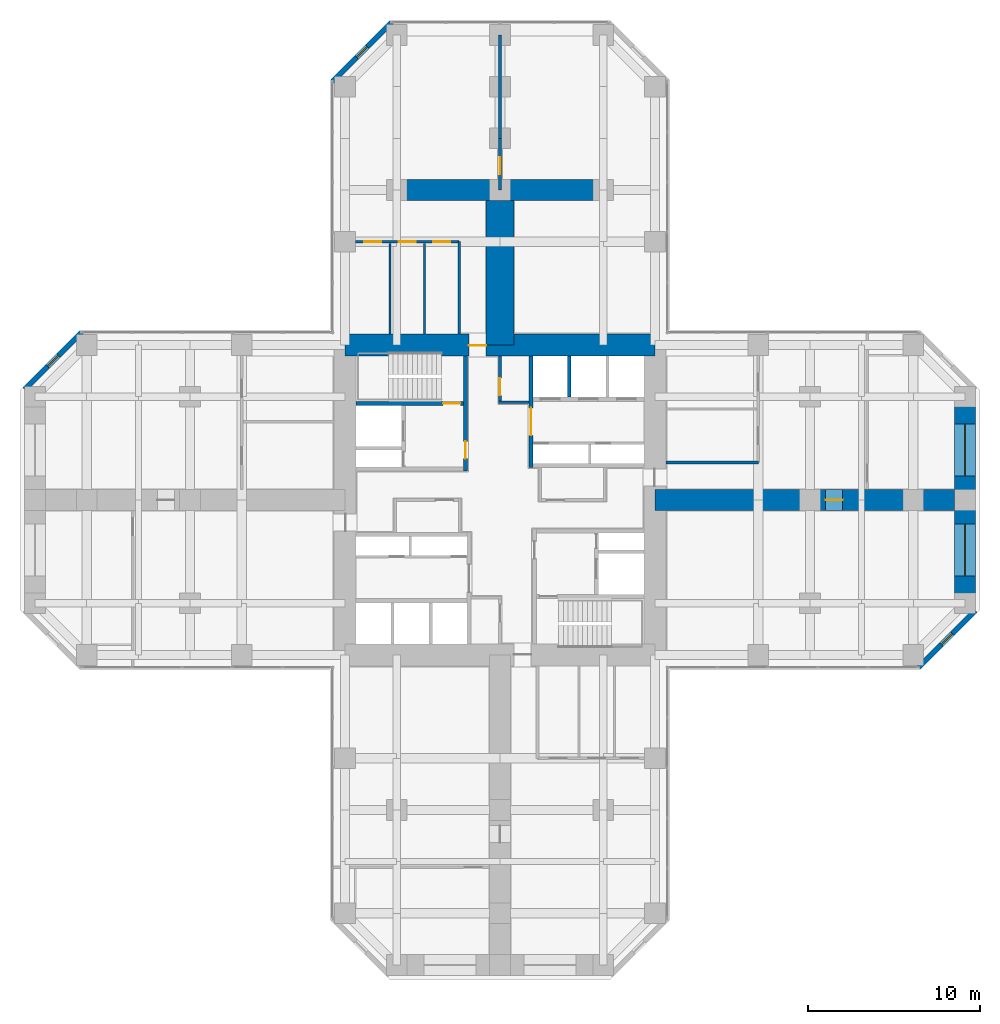
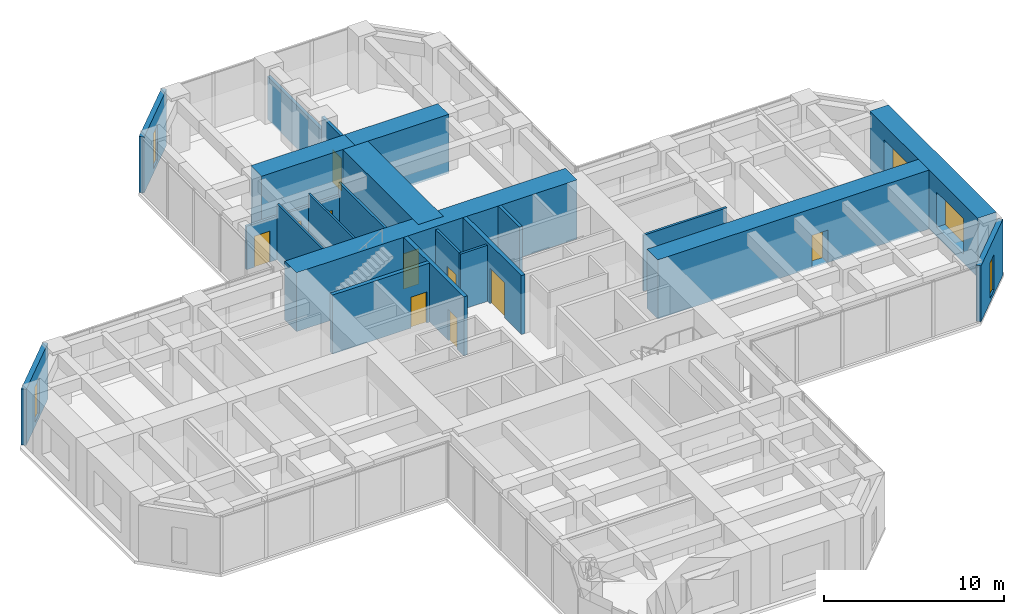
# One storey, part 10 of 12: 22 walls, 10 doors, 5 windows, 15 openings.
"""IFC4 building model written with IfcOpenShell, lengths in metres."""

from ifc_helpers import new_model, si_unit, direction, frame, frame_2d, origin, place, context, subcontext, project, spatial, rectangle, hollow_rectangle, extrude, material, layer, layer_set, constituent, constituent_set, type_object, element, fill, save


model = new_model("IFC4")

# Units and contexts
model_context = context("Model", 3, precision=1e-05, world=origin(), true_north=direction((0.0, 1.0)))
body_context = subcontext(model_context, "Body", "Model", "MODEL_VIEW")
ifc_project = project(units=[si_unit("LENGTHUNIT", "METRE"), si_unit("AREAUNIT", "SQUARE_METRE"), si_unit("VOLUMEUNIT", "CUBIC_METRE"), si_unit("PLANEANGLEUNIT", "RADIAN"), si_unit("MASSUNIT", "GRAM", prefix="KILO")], contexts=[model_context])

# Site, building, storey
site_placement = place(None, origin())
site = spatial("IfcSite", under=ifc_project, at=site_placement, CompositionType="ELEMENT")
building_placement = place(site_placement, origin())
building = spatial("IfcBuilding", under=site, at=building_placement, Name="Torre Cruceta", CompositionType="ELEMENT")
storey_placement = place(building_placement, frame((0.0, 0.0, 63.5)))
storey = spatial("IfcBuildingStorey", under=building, at=storey_placement, Name="L15", CompositionType="ELEMENT", Elevation=63.5)

# Wall, opening, door
ifc_material_1 = material(Name="Concrete G60 (fck 60 MPa)", Category="concrete")
ifc_layer_1 = layer(ifc_material_1, 0.25)
ifc_layer_set_1 = layer_set([ifc_layer_1], Name="Concrete G60 (fck 60 MPa)")
wall_type_1 = type_object("IfcWallType", Name="CORE INNER WALL 250 G60", PredefinedType="SHEAR", material=ifc_layer_set_1)
wall_1_placement = place(storey_placement, frame((1.800048828125, 1.875, 0.0), z_axis=(0.0, 0.0, 1.0), x_axis=(0.0, 1.0, 0.0)))
wall_1 = element("IfcWall", 1, at=wall_1_placement, inside=storey, type_object=wall_type_1, Name="CW4 L15 NE-CU", PredefinedType="SHEAR", context=body_context, shape_type="SweptSolid", body=[
    extrude(rectangle(XDim=6.47509765625, YDim=0.25, at=frame_2d((3.237548828125, 0.0))), origin(), (0.0, 0.0, 1.0), 4.0),
])
opening_1_placement = place(wall_1_placement, frame((1.875, 0.0, 0.0)))
opening_1 = element("IfcOpeningElement", 2, at=opening_1_placement, cuts=wall_1, Name="Opening D8", PredefinedType="OPENING", context=body_context, shape_type="SweptSolid", body=[
    extrude(rectangle(XDim=1.60009765625, YDim=2.39990234375, at=frame_2d((0.800048828125, 1.199951171875))), frame((0.0, 0.135009765625, 0.0), z_axis=(0.0, -1.0, 0.0), x_axis=(1.0, 0.0, 0.0)), (0.0, 0.0, 1.0), 0.27001953125),
])
ifc_material_2 = material(Name="Steel DX51D", Category="steel")
ifc_constituent_1 = constituent(ifc_material_2, Name="Leaf and frame")
ifc_material_3 = material(Name="Polyester powder coating", Category="paint")
ifc_constituent_2 = constituent(ifc_material_3, Name="Finish")
ifc_material_4 = material(Name="Fire-resisting glass", Category="glass")
ifc_constituent_3 = constituent(ifc_material_4, Name="Vision panel")
ifc_constituent_set_1 = constituent_set(constituents=[ifc_constituent_1, ifc_constituent_2, ifc_constituent_3], Name="Steel fire door with vision panels")
door_type_1 = type_object("IfcDoorType", Name="LIFT LOBBY DOUBLE DOOR 1600X2400", OperationType="DOUBLE_DOOR_DOUBLE_SWING", PredefinedType="DOOR", material=ifc_constituent_set_1)
door_1_placement = place(opening_1_placement, origin())
door_1 = element("IfcDoor", 3, at=door_1_placement, inside=storey, type_object=door_type_1, Name="D8 L15 NE-LOBBY", OperationType="DOUBLE_DOOR_DOUBLE_SWING", OverallHeight=2.39990234375, OverallWidth=1.60009765625, PredefinedType="DOOR", context=body_context, shape_type="SweptSolid", body=[
    extrude(rectangle(XDim=1.60009765625, YDim=2.39990234375, at=frame_2d((0.800048828125, 1.199951171875))), frame((0.0, 0.02490234375, 0.0), z_axis=(0.0, -1.0, 0.0), x_axis=(1.0, 0.0, 0.0)), (0.0, 0.0, 1.0), 0.050048828125),
])
fill(opening_1, door_1)

wall_2_placement = place(storey_placement, frame((-2.0, 1.675048828125, 0.0), z_axis=(0.0, 0.0, 1.0), x_axis=(0.0, 1.0, 0.0)))
wall_2 = element("IfcWall", 4, at=wall_2_placement, inside=storey, type_object=wall_type_1, Name="CW4 L15 NW-CU", PredefinedType="SHEAR", context=body_context, shape_type="SweptSolid", body=[
    extrude(rectangle(XDim=6.675048828125, YDim=0.25, at=frame_2d((3.33740234375, 0.0))), origin(), (0.0, 0.0, 1.0), 4.0),
])
opening_2_placement = place(wall_2_placement, frame((0.72509765625, 0.0, 0.0)))
opening_2 = element("IfcOpeningElement", 5, at=opening_2_placement, cuts=wall_2, Name="Opening D3", PredefinedType="OPENING", context=body_context, shape_type="SweptSolid", body=[
    extrude(rectangle(XDim=1.0, YDim=2.10009765625, at=frame_2d((0.5, 1.050048828125))), frame((0.0, 0.135009765625, 0.0), z_axis=(0.0, -1.0, 0.0), x_axis=(1.0, 0.0, 0.0)), (0.0, 0.0, 1.0), 0.27001953125),
])
ifc_material_5 = material(Name="Steel DX51D", Category="steel")
ifc_constituent_4 = constituent(ifc_material_5, Name="Leaf and frame")
ifc_material_6 = material(Name="Polyester powder coating", Category="paint")
ifc_constituent_5 = constituent(ifc_material_6, Name="Finish")
ifc_constituent_set_2 = constituent_set(constituents=[ifc_constituent_4, ifc_constituent_5], Name="Steel fire door")
door_type_2 = type_object("IfcDoorType", Name="FIRE DOOR 1000X2100", OperationType="SINGLE_SWING_LEFT", PredefinedType="DOOR", material=ifc_constituent_set_2)
door_2_placement = place(opening_2_placement, origin())
door_2 = element("IfcDoor", 6, at=door_2_placement, inside=storey, type_object=door_type_2, Name="D3 L15 NW-LOBBY", OperationType="SINGLE_SWING_LEFT", OverallHeight=2.10009765625, OverallWidth=1.0, PredefinedType="DOOR", context=body_context, shape_type="SweptSolid", body=[
    extrude(rectangle(XDim=1.0, YDim=2.10009765625, at=frame_2d((0.5, 1.050048828125))), frame((0.0, 0.02490234375, 0.0), z_axis=(0.0, -1.0, 0.0), x_axis=(1.0, 0.0, 0.0)), (0.0, 0.0, 1.0), 0.050048828125),
])
fill(opening_2, door_2)

wall_3_placement = place(storey_placement, frame((-2.125, 5.60009765625, 0.0), z_axis=(0.0, 0.0, 1.0), x_axis=(-1.0, 0.0, 0.0)))
wall_3 = element("IfcWall", 7, at=wall_3_placement, inside=storey, type_object=wall_type_1, Name="CW4 L15 NW-SV", PredefinedType="SHEAR", context=body_context, shape_type="SweptSolid", body=[
    extrude(rectangle(XDim=6.22509765625, YDim=0.25, at=frame_2d((3.112548828125, 0.0))), origin(), (0.0, 0.0, 1.0), 4.0),
])
opening_3_placement = place(wall_3_placement, frame((0.175048828125, 0.0, 0.0)))
opening_3 = element("IfcOpeningElement", 8, at=opening_3_placement, cuts=wall_3, Name="Opening D3", PredefinedType="OPENING", context=body_context, shape_type="SweptSolid", body=[
    extrude(rectangle(XDim=1.0, YDim=2.10009765625, at=frame_2d((0.5, 1.050048828125))), frame((0.0, 0.135009765625, 0.0), z_axis=(0.0, -1.0, 0.0), x_axis=(1.0, 0.0, 0.0)), (0.0, 0.0, 1.0), 0.27001953125),
])
door_3_placement = place(opening_3_placement, frame((1.0, 0.0, 0.0), z_axis=(0.0, 0.0, 1.0), x_axis=(-1.0, 0.0, 0.0)))
door_3 = element("IfcDoor", 9, at=door_3_placement, inside=storey, type_object=door_type_2, Name="D3 L15 NW-STAIR", OperationType="SINGLE_SWING_RIGHT", OverallHeight=2.10009765625, OverallWidth=1.0, PredefinedType="DOOR", context=body_context, shape_type="SweptSolid", body=[
    extrude(rectangle(XDim=1.0, YDim=2.10009765625, at=frame_2d((0.5, 1.050048828125))), frame((0.0, 0.025146484375, 0.0), z_axis=(0.0, -1.0, 0.0), x_axis=(1.0, 0.0, 0.0)), (0.0, 0.0, 1.0), 0.050048828125),
])
fill(opening_3, door_3)

ifc_material_7 = material(Name="Concrete G60 (fck 60 MPa)", Category="concrete")
ifc_layer_2 = layer(ifc_material_7, 1.300048828125)
ifc_layer_set_2 = layer_set([ifc_layer_2], Name="Concrete G60 (fck 60 MPa)")
wall_type_2 = type_object("IfcWallType", Name="CORE WALL 1300 G60", PredefinedType="SHEAR", material=ifc_layer_set_2)
wall_4_placement = place(storey_placement, frame((9.0, 9.0, 0.0), z_axis=(0.0, 0.0, 1.0), x_axis=(-1.0, 0.0, 0.0)))
wall_4 = element("IfcWall", 10, at=wall_4_placement, inside=storey, type_object=wall_type_2, Name="CW1 L15 CW-N", PredefinedType="SHEAR", context=body_context, shape_type="SweptSolid", body=[
    extrude(rectangle(XDim=18.0, YDim=1.300048828125, at=frame_2d((9.0, 0.0))), origin(), (0.0, 0.0, 1.0), 4.0),
])
opening_4_placement = place(wall_4_placement, frame((9.800048828125, 0.0, 0.0)))
opening_4 = element("IfcOpeningElement", 11, at=opening_4_placement, cuts=wall_4, Name="Opening D4", PredefinedType="OPENING", context=body_context, shape_type="SweptSolid", body=[
    extrude(rectangle(XDim=1.0, YDim=2.39990234375, at=frame_2d((0.5, 1.199951171875))), frame((0.0, 0.659912109375, 0.0), z_axis=(0.0, -1.0, 0.0), x_axis=(1.0, 0.0, 0.0)), (0.0, 0.0, 1.0), 1.320068359375),
])
ifc_material_8 = material(Name="Steel DX51D", Category="steel")
ifc_constituent_6 = constituent(ifc_material_8, Name="Leaf and frame")
ifc_material_9 = material(Name="Polyester powder coating", Category="paint")
ifc_constituent_7 = constituent(ifc_material_9, Name="Finish")
ifc_constituent_set_3 = constituent_set(constituents=[ifc_constituent_6, ifc_constituent_7], Name="Steel fire door")
door_type_3 = type_object("IfcDoorType", Name="CORE ARM DOOR 1000X2400", OperationType="SINGLE_SWING_RIGHT", PredefinedType="DOOR", material=ifc_constituent_set_3)
door_4_placement = place(opening_4_placement, frame((1.0, 0.0, 0.0), z_axis=(0.0, 0.0, 1.0), x_axis=(-1.0, 0.0, 0.0)))
door_4 = element("IfcDoor", 12, at=door_4_placement, inside=storey, type_object=door_type_3, Name="D4 L15 CW-N", OperationType="SINGLE_SWING_RIGHT", OverallHeight=2.39990234375, OverallWidth=1.0, PredefinedType="DOOR", context=body_context, shape_type="SweptSolid", body=[
    extrude(rectangle(XDim=1.0, YDim=2.39990234375, at=frame_2d((0.5, 1.199951171875))), frame((0.0, -0.005126953125, 0.0), z_axis=(0.0, -1.0, 0.0), x_axis=(1.0, 0.0, 0.0)), (0.0, 0.0, 1.0), 0.050048828125),
])
fill(opening_4, door_4)

ifc_material_10 = material(Name="Concrete G25 (fck 25 MPa)", Category="concrete")
ifc_layer_3 = layer(ifc_material_10, 0.199951171875)
ifc_layer_set_3 = layer_set([ifc_layer_3], Name="Concrete G25 (fck 25 MPa)")
wall_type_3 = type_object("IfcWallType", Name="CORRIDOR WALL 200", PredefinedType="SOLIDWALL", material=ifc_layer_set_3)
wall_5_placement = place(storey_placement, frame((0.0, 18.0, 0.0), z_axis=(0.0, 0.0, 1.0), x_axis=(0.0, 1.0, 0.0)))
wall_5 = element("IfcWall", 13, at=wall_5_placement, inside=storey, type_object=wall_type_3, Name="PT3 spine line L15 N", PredefinedType="SOLIDWALL", context=body_context, shape_type="SweptSolid", body=[
    extrude(rectangle(XDim=3.0, YDim=0.199951171875, at=frame_2d((1.5, 0.0))), origin(), (0.0, 0.0, 1.0), 3.800048828125),
])
opening_5_placement = place(wall_5_placement, frame((0.89990234375, 0.0, 0.0)))
opening_5 = element("IfcOpeningElement", 14, at=opening_5_placement, cuts=wall_5, Name="Opening D14", PredefinedType="OPENING", context=body_context, shape_type="SweptSolid", body=[
    extrude(rectangle(XDim=1.0, YDim=2.199951171875, at=frame_2d((0.5, 1.10009765625))), frame((0.0, 0.10986328125, 0.0), z_axis=(0.0, -1.0, 0.0), x_axis=(1.0, 0.0, 0.0)), (0.0, 0.0, 1.0), 0.219970703125),
])
ifc_material_11 = material(Name="Steel DX51D", Category="steel")
ifc_constituent_8 = constituent(ifc_material_11, Name="Leaf and frame")
ifc_material_12 = material(Name="Polyester powder coating", Category="paint")
ifc_constituent_9 = constituent(ifc_material_12, Name="Finish")
ifc_material_13 = material(Name="Fire-resisting glass", Category="glass")
ifc_constituent_10 = constituent(ifc_material_13, Name="Vision panel")
ifc_constituent_set_4 = constituent_set(constituents=[ifc_constituent_8, ifc_constituent_9, ifc_constituent_10], Name="Steel fire door with vision panel")
door_type_4 = type_object("IfcDoorType", Name="FIRE DOOR VISION PANEL 1000X2200", OperationType="SINGLE_SWING_RIGHT", PredefinedType="DOOR", material=ifc_constituent_set_4)
door_5_placement = place(opening_5_placement, origin())
door_5 = element("IfcDoor", 15, at=door_5_placement, inside=storey, type_object=door_type_4, Name="D14 L15-N-SP1", OperationType="SINGLE_SWING_LEFT", OverallHeight=2.199951171875, OverallWidth=1.0, PredefinedType="DOOR", context=body_context, shape_type="SweptSolid", body=[
    extrude(rectangle(XDim=1.0, YDim=2.199951171875, at=frame_2d((0.5, 1.10009765625))), frame((0.0, 0.02490234375, 0.0), z_axis=(0.0, -1.0, 0.0), x_axis=(1.0, 0.0, 0.0)), (0.0, 0.0, 1.0), 0.050048828125),
])
fill(opening_5, door_5)

# Walls
wall_6_placement = place(storey_placement, frame((0.0, 21.0, 0.0), z_axis=(0.0, 0.0, 1.0), x_axis=(0.0, 1.0, 0.0)))
element("IfcWall", 16, at=wall_6_placement, inside=storey, type_object=wall_type_3, Name="PT3 spine line L15 N 2", PredefinedType="SOLIDWALL", context=body_context, shape_type="SweptSolid", body=[
    extrude(rectangle(XDim=6.0, YDim=0.199951171875, at=frame_2d((3.0, 0.0))), origin(), (0.0, 0.0, 1.0), 2.89990234375),
])
ifc_material_14 = material(Name="Concrete G60 (fck 60 MPa)", Category="concrete")
ifc_layer_4 = layer(ifc_material_14, 1.199951171875)
ifc_layer_set_4 = layer_set([ifc_layer_4], Name="Concrete G60 (fck 60 MPa)")
wall_type_4 = type_object("IfcWallType", Name="CROSS WALL 1200 G60", PredefinedType="SHEAR", material=ifc_layer_set_4)
for number, where, z_axis, x_axis, name in (
    (17, (0.0, 18.0, 0.0), (0.0, 0.0, 1.0), (-1.0, 0.0, 0.0), "XW1 cross wall L15 N L"),
    (18, (0.0, 18.0, 0.0), (0.0, 0.0, 1.0), (1.0, 0.0, 0.0), "XW1 cross wall L15 N R"),
):
    element("IfcWall", number, at=place(storey_placement, frame(where, z_axis=z_axis, x_axis=x_axis)), inside=storey, type_object=wall_type_4, Name=name, PredefinedType="SHEAR", context=body_context, shape_type="SweptSolid", body=[
        extrude(rectangle(XDim=6.0, YDim=1.199951171875, at=frame_2d((3.0, 0.0))), origin(), (0.0, 0.0, 1.0), 4.0),
    ])

# Wall, opening, window
ifc_material_15 = material(Name="Concrete G30 (fck 30 MPa)", Category="concrete")
ifc_layer_5 = layer(ifc_material_15, 0.300048828125)
ifc_layer_set_5 = layer_set([ifc_layer_5], Name="Concrete G30 (fck 30 MPa)")
wall_type_5 = type_object("IfcWallType", Name="EXPOSED CONCRETE FACADE WALL 300", PredefinedType="SOLIDWALL", material=ifc_layer_set_5)
wall_7_placement = place(storey_placement, frame((24.29833984375, -9.719970703125, 0.0), z_axis=(0.0, 0.0, 1.0), x_axis=(0.707106781187, 0.707106781187, 0.0)))
wall_7 = element("IfcWall", 19, at=wall_7_placement, inside=storey, type_object=wall_type_5, Name="EW1 facade wall L15 E chamfer 01", PredefinedType="SOLIDWALL", context=body_context, shape_type="SweptSolid", body=[
    extrude(rectangle(XDim=4.66943359375, YDim=0.300048828125, at=frame_2d((2.334716796875, 0.0))), origin(), (0.0, 0.0, 1.0), 3.800048828125),
])
opening_6_placement = place(wall_7_placement, frame((1.884765625, 0.0, 0.300048828125)))
opening_6 = element("IfcOpeningElement", 20, at=opening_6_placement, cuts=wall_7, Name="Opening WN5", PredefinedType="OPENING", context=body_context, shape_type="SweptSolid", body=[
    extrude(rectangle(XDim=0.89990234375, YDim=2.39990234375, at=frame_2d((0.449951171875, 1.199951171875))), frame((0.0, 0.159912109375, 0.0), z_axis=(0.0, -1.0, 0.0), x_axis=(1.0, 0.0, 0.0)), (0.0, 0.0, 1.0), 0.320068359375),
])
ifc_material_16 = material(Name="Aluminium window frame", Category="aluminium")
ifc_constituent_11 = constituent(ifc_material_16, Name="Frame")
ifc_material_17 = material(Name="Laminated insulating glass unit, low-iron clear", Category="glass")
ifc_constituent_12 = constituent(ifc_material_17, Name="Glazing")
ifc_constituent_set_5 = constituent_set(constituents=[ifc_constituent_11, ifc_constituent_12], Name="Aluminium window")
window_type_1 = type_object("IfcWindowType", Name="CHAMFER SLOT WINDOW 900X2400", PartitioningType="SINGLE_PANEL", PredefinedType="WINDOW", material=ifc_constituent_set_5)
window_1_placement = place(opening_6_placement, origin())
window_1 = element("IfcWindow", 21, at=window_1_placement, inside=storey, type_object=window_type_1, Name="WN5 L15 E 1", OverallHeight=2.39990234375, OverallWidth=0.89990234375, PartitioningType="SINGLE_PANEL", PredefinedType="WINDOW", context=body_context, shape_type="SweptSolid", body=[
    extrude(hollow_rectangle(XDim=0.89990234375, YDim=2.39990234375, WallThickness=0.06005859375, at=frame_2d((0.449951171875, 1.199951171875))), frame((0.0, 0.030029296875, 0.0), z_axis=(0.0, -1.0, 0.0), x_axis=(1.0, 0.0, 0.0)), (0.0, 0.0, 1.0), 0.06005859375),
    extrude(rectangle(XDim=0.77880859375, YDim=2.27880859375, at=frame_2d((0.449951171875, 1.199951171875))), frame((0.0, 0.030029296875, 0.0), z_axis=(0.0, -1.0, 0.0), x_axis=(1.0, 0.0, 0.0)), (0.0, 0.0, 1.0), 0.06005859375),
])
fill(opening_6, window_1)

wall_8_placement = place(storey_placement, frame((-6.29833984375, 27.719970703125, 0.0), z_axis=(0.0, 0.0, 1.0), x_axis=(-0.707106781187, -0.707106781187, 0.0)))
wall_8 = element("IfcWall", 22, at=wall_8_placement, inside=storey, type_object=wall_type_5, Name="EW1 facade wall L15 N chamfer 08", PredefinedType="SOLIDWALL", context=body_context, shape_type="SweptSolid", body=[
    extrude(rectangle(XDim=4.8388671875, YDim=0.300048828125, at=frame_2d((2.41943359375, 0.0))), origin(), (0.0, 0.0, 1.0), 3.800048828125),
])
opening_7_placement = place(wall_8_placement, frame((1.969482421875, 0.0, 0.300048828125)))
opening_7 = element("IfcOpeningElement", 23, at=opening_7_placement, cuts=wall_8, Name="Opening WN5", PredefinedType="OPENING", context=body_context, shape_type="SweptSolid", body=[
    extrude(rectangle(XDim=0.89990234375, YDim=2.39990234375, at=frame_2d((0.449951171875, 1.199951171875))), frame((0.0, 0.159912109375, 0.0), z_axis=(0.0, -1.0, 0.0), x_axis=(1.0, 0.0, 0.0)), (0.0, 0.0, 1.0), 0.320068359375),
])
window_2_placement = place(opening_7_placement, origin())
window_2 = element("IfcWindow", 24, at=window_2_placement, inside=storey, type_object=window_type_1, Name="WN5 L15 N 1", OverallHeight=2.39990234375, OverallWidth=0.89990234375, PartitioningType="SINGLE_PANEL", PredefinedType="WINDOW", context=body_context, shape_type="SweptSolid", body=[
    extrude(hollow_rectangle(XDim=0.89990234375, YDim=2.39990234375, WallThickness=0.06005859375, at=frame_2d((0.449951171875, 1.199951171875))), frame((0.0, 0.030029296875, 0.0), z_axis=(0.0, -1.0, 0.0), x_axis=(1.0, 0.0, 0.0)), (0.0, 0.0, 1.0), 0.06005859375),
    extrude(rectangle(XDim=0.77880859375, YDim=2.27880859375, at=frame_2d((0.449951171875, 1.199951171875))), frame((0.0, 0.030029296875, 0.0), z_axis=(0.0, -1.0, 0.0), x_axis=(1.0, 0.0, 0.0)), (0.0, 0.0, 1.0), 0.06005859375),
])
fill(opening_7, window_2)

wall_9_placement = place(storey_placement, frame((-24.29833984375, 9.719970703125, 0.0), z_axis=(0.0, 0.0, 1.0), x_axis=(-0.707106781187, -0.707106781187, 0.0)))
wall_9 = element("IfcWall", 25, at=wall_9_placement, inside=storey, type_object=wall_type_5, Name="EW1 facade wall L15 W chamfer 11", PredefinedType="SOLIDWALL", context=body_context, shape_type="SweptSolid", body=[
    extrude(rectangle(XDim=4.66943359375, YDim=0.300048828125, at=frame_2d((2.334716796875, 0.0))), origin(), (0.0, 0.0, 1.0), 3.800048828125),
])
opening_8_placement = place(wall_9_placement, frame((1.884765625, 0.0, 0.300048828125)))
opening_8 = element("IfcOpeningElement", 26, at=opening_8_placement, cuts=wall_9, Name="Opening WN5", PredefinedType="OPENING", context=body_context, shape_type="SweptSolid", body=[
    extrude(rectangle(XDim=0.89990234375, YDim=2.39990234375, at=frame_2d((0.449951171875, 1.199951171875))), frame((0.0, 0.159912109375, 0.0), z_axis=(0.0, -1.0, 0.0), x_axis=(1.0, 0.0, 0.0)), (0.0, 0.0, 1.0), 0.320068359375),
])
window_3_placement = place(opening_8_placement, origin())
window_3 = element("IfcWindow", 27, at=window_3_placement, inside=storey, type_object=window_type_1, Name="WN5 L15 W 1", OverallHeight=2.39990234375, OverallWidth=0.89990234375, PartitioningType="SINGLE_PANEL", PredefinedType="WINDOW", context=body_context, shape_type="SweptSolid", body=[
    extrude(hollow_rectangle(XDim=0.89990234375, YDim=2.39990234375, WallThickness=0.06005859375, at=frame_2d((0.449951171875, 1.199951171875))), frame((0.0, 0.030029296875, 0.0), z_axis=(0.0, -1.0, 0.0), x_axis=(1.0, 0.0, 0.0)), (0.0, 0.0, 1.0), 0.06005859375),
    extrude(rectangle(XDim=0.77880859375, YDim=2.27880859375, at=frame_2d((0.449951171875, 1.199951171875))), frame((0.0, 0.030029296875, 0.0), z_axis=(0.0, -1.0, 0.0), x_axis=(1.0, 0.0, 0.0)), (0.0, 0.0, 1.0), 0.06005859375),
])
fill(opening_8, window_3)

# Wall
ifc_material_18 = material(Name="Concrete G35 (fck 35 MPa)", Category="concrete")
ifc_layer_6 = layer(ifc_material_18, 0.199951171875)
ifc_layer_set_6 = layer_set([ifc_layer_6], Name="Concrete G35 (fck 35 MPa)")
wall_type_6 = type_object("IfcWallType", Name="LIFT SHAFT WALL 200", PredefinedType="PARTITIONING", material=ifc_layer_set_6)
wall_10_placement = place(storey_placement, frame((4.033447265625, 5.97509765625, 0.0), z_axis=(0.0, 0.0, 1.0), x_axis=(0.0, 1.0, 0.0)))
element("IfcWall", 28, at=wall_10_placement, inside=storey, type_object=wall_type_6, Name="SW1 L15 NE-LS1", PredefinedType="PARTITIONING", context=body_context, shape_type="SweptSolid", body=[
    extrude(rectangle(XDim=2.375, YDim=0.199951171875, at=frame_2d((1.1875, 0.0))), origin(), (0.0, 0.0, 1.0), 4.0),
])

# Wall, openings, windows
ifc_material_19 = material(Name="Concrete G60 (fck 60 MPa)", Category="concrete")
ifc_layer_7 = layer(ifc_material_19, 1.199951171875)
ifc_layer_set_7 = layer_set([ifc_layer_7], Name="Concrete G60 (fck 60 MPa)")
wall_type_7 = type_object("IfcWallType", Name="NOSE WALL 1200 G60", PredefinedType="SHEAR", material=ifc_layer_set_7)
wall_11_placement = place(storey_placement, frame((27.0, -6.0, 0.0), z_axis=(0.0, 0.0, 1.0), x_axis=(0.0, 1.0, 0.0)))
wall_11 = element("IfcWall", 29, at=wall_11_placement, inside=storey, type_object=wall_type_7, Name="NW1 nose wall L15 E", PredefinedType="SHEAR", context=body_context, shape_type="SweptSolid", body=[
    extrude(rectangle(XDim=12.0, YDim=1.199951171875, at=frame_2d((6.0, 0.0))), origin(), (0.0, 0.0, 1.0), 4.0),
])
opening_9_placement = place(wall_11_placement, frame((1.60009765625, 0.0, 0.60009765625)))
opening_9 = element("IfcOpeningElement", 30, at=opening_9_placement, cuts=wall_11, Name="Opening WN6", PredefinedType="OPENING", context=body_context, shape_type="SweptSolid", body=[
    extrude(rectangle(XDim=3.0, YDim=2.39990234375, at=frame_2d((1.5, 1.199951171875))), frame((0.0, 0.60986328125, 0.0), z_axis=(0.0, -1.0, 0.0), x_axis=(1.0, 0.0, 0.0)), (0.0, 0.0, 1.0), 1.219970703125),
])
opening_10_placement = place(wall_11_placement, frame((7.39990234375, 0.0, 0.60009765625)))
opening_10 = element("IfcOpeningElement", 31, at=opening_10_placement, cuts=wall_11, Name="Opening WN6", PredefinedType="OPENING", context=body_context, shape_type="SweptSolid", body=[
    extrude(rectangle(XDim=3.0, YDim=2.39990234375, at=frame_2d((1.5, 1.199951171875))), frame((0.0, 0.60986328125, 0.0), z_axis=(0.0, -1.0, 0.0), x_axis=(1.0, 0.0, 0.0)), (0.0, 0.0, 1.0), 1.219970703125),
])
ifc_material_20 = material(Name="Aluminium window frame", Category="aluminium")
ifc_constituent_13 = constituent(ifc_material_20, Name="Frame")
ifc_material_21 = material(Name="Laminated insulating glass unit, low-iron clear", Category="glass")
ifc_constituent_14 = constituent(ifc_material_21, Name="Glazing")
ifc_constituent_set_6 = constituent_set(constituents=[ifc_constituent_13, ifc_constituent_14], Name="Aluminium window")
window_type_2 = type_object("IfcWindowType", Name="NOSE WALL WINDOW 3000X2400", PartitioningType="SINGLE_PANEL", PredefinedType="WINDOW", material=ifc_constituent_set_6)
window_4_placement = place(opening_9_placement, origin())
window_4 = element("IfcWindow", 32, at=window_4_placement, inside=storey, type_object=window_type_2, Name="WN6 L15 E 1", OverallHeight=2.39990234375, OverallWidth=3.0, PartitioningType="SINGLE_PANEL", PredefinedType="WINDOW", context=body_context, shape_type="SweptSolid", body=[
    extrude(hollow_rectangle(XDim=3.0, YDim=2.39990234375, WallThickness=0.06005859375, at=frame_2d((1.5, 1.199951171875))), frame((0.0, 0.030029296875, 0.0), z_axis=(0.0, -1.0, 0.0), x_axis=(1.0, 0.0, 0.0)), (0.0, 0.0, 1.0), 0.06005859375),
    extrude(rectangle(XDim=2.87890625, YDim=2.27880859375, at=frame_2d((1.5, 1.199951171875))), frame((0.0, 0.030029296875, 0.0), z_axis=(0.0, -1.0, 0.0), x_axis=(1.0, 0.0, 0.0)), (0.0, 0.0, 1.0), 0.06005859375),
])
fill(opening_9, window_4)
window_5_placement = place(opening_10_placement, origin())
window_5 = element("IfcWindow", 33, at=window_5_placement, inside=storey, type_object=window_type_2, Name="WN6 L15 E 2", OverallHeight=2.39990234375, OverallWidth=3.0, PartitioningType="SINGLE_PANEL", PredefinedType="WINDOW", context=body_context, shape_type="SweptSolid", body=[
    extrude(hollow_rectangle(XDim=3.0, YDim=2.39990234375, WallThickness=0.06005859375, at=frame_2d((1.5, 1.199951171875))), frame((0.0, 0.030029296875, 0.0), z_axis=(0.0, -1.0, 0.0), x_axis=(1.0, 0.0, 0.0)), (0.0, 0.0, 1.0), 0.06005859375),
    extrude(rectangle(XDim=2.87890625, YDim=2.27880859375, at=frame_2d((1.5, 1.199951171875))), frame((0.0, 0.030029296875, 0.0), z_axis=(0.0, -1.0, 0.0), x_axis=(1.0, 0.0, 0.0)), (0.0, 0.0, 1.0), 0.06005859375),
])
fill(opening_10, window_5)

# Wall, opening, door
ifc_material_22 = material(Name="Plasterboard on steel studs", Category="steel")
ifc_layer_8 = layer(ifc_material_22, 0.14990234375)
ifc_layer_set_8 = layer_set([ifc_layer_8], Name="Plasterboard on steel studs")
wall_type_8 = type_object("IfcWallType", Name="PARTITION 150", PredefinedType="PARTITIONING", material=ifc_layer_set_8)
wall_12_placement = place(storey_placement, frame((0.0, 5.675048828125, 0.0), z_axis=(0.0, 0.0, 1.0), x_axis=(0.0, 1.0, 0.0)))
wall_12 = element("IfcWall", 34, at=wall_12_placement, inside=storey, type_object=wall_type_8, Name="PT1 L15-CORE-LEGN-E-W1", PredefinedType="PARTITIONING", context=body_context, shape_type="SweptSolid", body=[
    extrude(rectangle(XDim=2.675048828125, YDim=0.14990234375, at=frame_2d((1.33740234375, 0.0))), origin(), (0.0, 0.0, 1.0), 3.800048828125),
])
opening_11_placement = place(wall_12_placement, frame((0.39990234375, 0.0, 0.0)))
opening_11 = element("IfcOpeningElement", 35, at=opening_11_placement, cuts=wall_12, Name="Opening D3", PredefinedType="OPENING", context=body_context, shape_type="SweptSolid", body=[
    extrude(rectangle(XDim=1.0, YDim=2.10009765625, at=frame_2d((0.5, 1.050048828125))), frame((0.0, 0.0849609375, 0.0), z_axis=(0.0, -1.0, 0.0), x_axis=(1.0, 0.0, 0.0)), (0.0, 0.0, 1.0), 0.169921875),
])
door_6_placement = place(opening_11_placement, frame((1.0, 0.0, 0.0), z_axis=(0.0, 0.0, 1.0), x_axis=(-1.0, 0.0, 0.0)))
door_6 = element("IfcDoor", 36, at=door_6_placement, inside=storey, type_object=door_type_2, Name="D3 L15-CORE-LEGN-E-W1-D1", OperationType="SINGLE_SWING_RIGHT", OverallHeight=2.10009765625, OverallWidth=1.0, PredefinedType="DOOR", context=body_context, shape_type="SweptSolid", body=[
    extrude(rectangle(XDim=1.0, YDim=2.10009765625, at=frame_2d((0.5, 1.050048828125))), frame((0.0, 0.025146484375, 0.0), z_axis=(0.0, -1.0, 0.0), x_axis=(1.0, 0.0, 0.0)), (0.0, 0.0, 1.0), 0.050048828125),
])
fill(opening_11, door_6)

# Wall
wall_13_placement = place(storey_placement, frame((1.675048828125, 5.675048828125, 0.0), z_axis=(0.0, 0.0, 1.0), x_axis=(-1.0, 0.0, 0.0)))
element("IfcWall", 37, at=wall_13_placement, inside=storey, type_object=wall_type_8, Name="PT1 L15-CORE-LEGN-E-W2", PredefinedType="PARTITIONING", context=body_context, shape_type="SweptSolid", body=[
    extrude(rectangle(XDim=1.75, YDim=0.14990234375, at=frame_2d((0.875, 0.0))), origin(), (0.0, 0.0, 1.0), 3.800048828125),
])

# Wall, openings, doors
wall_14_placement = place(storey_placement, frame((-2.375, 15.0, 0.0), z_axis=(0.0, 0.0, 1.0), x_axis=(-1.0, 0.0, 0.0)))
wall_14 = element("IfcWall", 38, at=wall_14_placement, inside=storey, type_object=wall_type_8, Name="PT1 L15-N-BFL", PredefinedType="PARTITIONING", context=body_context, shape_type="SweptSolid", body=[
    extrude(rectangle(XDim=6.02490234375, YDim=0.14990234375, at=frame_2d((3.012451171875, 0.0))), origin(), (0.0, 0.0, 1.0), 2.949951171875),
])
opening_12_placement = place(wall_14_placement, frame((0.504150390625, 0.0, 0.0)))
opening_12 = element("IfcOpeningElement", 39, at=opening_12_placement, cuts=wall_14, Name="Opening D3", PredefinedType="OPENING", context=body_context, shape_type="SweptSolid", body=[
    extrude(rectangle(XDim=1.0, YDim=2.10009765625, at=frame_2d((0.5, 1.050048828125))), frame((0.0, 0.0849609375, 0.0), z_axis=(0.0, -1.0, 0.0), x_axis=(1.0, 0.0, 0.0)), (0.0, 0.0, 1.0), 0.169921875),
])
opening_13_placement = place(wall_14_placement, frame((2.512451171875, 0.0, 0.0)))
opening_13 = element("IfcOpeningElement", 40, at=opening_13_placement, cuts=wall_14, Name="Opening D3", PredefinedType="OPENING", context=body_context, shape_type="SweptSolid", body=[
    extrude(rectangle(XDim=1.0, YDim=2.10009765625, at=frame_2d((0.5, 1.050048828125))), frame((0.0, 0.0849609375, 0.0), z_axis=(0.0, -1.0, 0.0), x_axis=(1.0, 0.0, 0.0)), (0.0, 0.0, 1.0), 0.169921875),
])
opening_14_placement = place(wall_14_placement, frame((4.520751953125, 0.0, 0.0)))
opening_14 = element("IfcOpeningElement", 41, at=opening_14_placement, cuts=wall_14, Name="Opening D3", PredefinedType="OPENING", context=body_context, shape_type="SweptSolid", body=[
    extrude(rectangle(XDim=1.0, YDim=2.10009765625, at=frame_2d((0.5, 1.050048828125))), frame((0.0, 0.0849609375, 0.0), z_axis=(0.0, -1.0, 0.0), x_axis=(1.0, 0.0, 0.0)), (0.0, 0.0, 1.0), 0.169921875),
])
door_7_placement = place(opening_12_placement, origin())
door_7 = element("IfcDoor", 42, at=door_7_placement, inside=storey, type_object=door_type_2, Name="D3 L15-N-BFL-D1", OperationType="SINGLE_SWING_LEFT", OverallHeight=2.10009765625, OverallWidth=1.0, PredefinedType="DOOR", context=body_context, shape_type="SweptSolid", body=[
    extrude(rectangle(XDim=1.0, YDim=2.10009765625, at=frame_2d((0.5, 1.050048828125))), frame((0.0, 0.02490234375, 0.0), z_axis=(0.0, -1.0, 0.0), x_axis=(1.0, 0.0, 0.0)), (0.0, 0.0, 1.0), 0.050048828125),
])
fill(opening_12, door_7)
door_8_placement = place(opening_13_placement, origin())
door_8 = element("IfcDoor", 43, at=door_8_placement, inside=storey, type_object=door_type_2, Name="D3 L15-N-BFL-D2", OperationType="SINGLE_SWING_LEFT", OverallHeight=2.10009765625, OverallWidth=1.0, PredefinedType="DOOR", context=body_context, shape_type="SweptSolid", body=[
    extrude(rectangle(XDim=1.0, YDim=2.10009765625, at=frame_2d((0.5, 1.050048828125))), frame((0.0, 0.02490234375, 0.0), z_axis=(0.0, -1.0, 0.0), x_axis=(1.0, 0.0, 0.0)), (0.0, 0.0, 1.0), 0.050048828125),
])
fill(opening_13, door_8)
door_9_placement = place(opening_14_placement, origin())
door_9 = element("IfcDoor", 44, at=door_9_placement, inside=storey, type_object=door_type_2, Name="D3 L15-N-BFL-D3", OperationType="SINGLE_SWING_LEFT", OverallHeight=2.10009765625, OverallWidth=1.0, PredefinedType="DOOR", context=body_context, shape_type="SweptSolid", body=[
    extrude(rectangle(XDim=1.0, YDim=2.10009765625, at=frame_2d((0.5, 1.050048828125))), frame((0.0, 0.02490234375, 0.0), z_axis=(0.0, -1.0, 0.0), x_axis=(1.0, 0.0, 0.0)), (0.0, 0.0, 1.0), 0.050048828125),
])
fill(opening_14, door_9)

# Walls
for number, where, z_axis, x_axis, name in (
    (45, (-2.375, 9.64990234375, 0.0), (0.0, 0.0, 1.0), (0.0, 1.0, 0.0), "PT1 L15-N-BSL"),
    (46, (9.64990234375, 2.175048828125, 0.0), (0.0, 0.0, 1.0), (1.0, 0.0, 0.0), "PT1 L15-E-BSL"),
):
    element("IfcWall", number, at=place(storey_placement, frame(where, z_axis=z_axis, x_axis=x_axis)), inside=storey, type_object=wall_type_8, Name=name, PredefinedType="PARTITIONING", context=body_context, shape_type="SweptSolid", body=[
        extrude(rectangle(XDim=5.35009765625, YDim=0.14990234375, at=frame_2d((2.675048828125, 0.0))), origin(), (0.0, 0.0, 1.0), 3.800048828125),
    ])

# Wall, opening, door
ifc_material_23 = material(Name="Concrete G60 (fck 60 MPa)", Category="concrete")
ifc_layer_9 = layer(ifc_material_23, 1.199951171875)
ifc_layer_set_9 = layer_set([ifc_layer_9], Name="Concrete G60 (fck 60 MPa)")
wall_type_9 = type_object("IfcWallType", Name="SPINE WALL 1200 G60", PredefinedType="SHEAR", material=ifc_layer_set_9)
wall_15_placement = place(storey_placement, frame((9.0, 0.0, 0.0), z_axis=(0.0, 0.0, 1.0), x_axis=(1.0, 0.0, 0.0)))
wall_15 = element("IfcWall", 47, at=wall_15_placement, inside=storey, type_object=wall_type_9, Name="SW3 spine wall L15 E", PredefinedType="SHEAR", context=body_context, shape_type="SweptSolid", body=[
    extrude(rectangle(XDim=18.0, YDim=1.199951171875, at=frame_2d((9.0, 0.0))), origin(), (0.0, 0.0, 1.0), 4.0),
])
opening_15_placement = place(wall_15_placement, frame((9.89990234375, 0.0, 0.0)))
opening_15 = element("IfcOpeningElement", 48, at=opening_15_placement, cuts=wall_15, Name="Opening D14", PredefinedType="OPENING", context=body_context, shape_type="SweptSolid", body=[
    extrude(rectangle(XDim=1.0, YDim=2.199951171875, at=frame_2d((0.5, 1.10009765625))), frame((0.0, 0.60986328125, 0.0), z_axis=(0.0, -1.0, 0.0), x_axis=(1.0, 0.0, 0.0)), (0.0, 0.0, 1.0), 1.219970703125),
])
door_10_placement = place(opening_15_placement, origin())
door_10 = element("IfcDoor", 49, at=door_10_placement, inside=storey, type_object=door_type_4, Name="D14 L15-E-SP1", OperationType="SINGLE_SWING_RIGHT", OverallHeight=2.199951171875, OverallWidth=1.0, PredefinedType="DOOR", context=body_context, shape_type="SweptSolid", body=[
    extrude(rectangle(XDim=1.0, YDim=2.199951171875, at=frame_2d((0.5, 1.10009765625))), frame((0.0, 0.02490234375, 0.0), z_axis=(0.0, -1.0, 0.0), x_axis=(1.0, 0.0, 0.0)), (0.0, 0.0, 1.0), 0.050048828125),
])
fill(opening_15, door_10)

# Walls
ifc_material_24 = material(Name="Concrete G60 (fck 60 MPa)", Category="concrete")
ifc_layer_10 = layer(ifc_material_24, 1.60009765625)
ifc_layer_set_10 = layer_set([ifc_layer_10], Name="Concrete G60 (fck 60 MPa)")
wall_type_10 = type_object("IfcWallType", Name="SPINE WALL 1600 G60", PredefinedType="SHEAR", material=ifc_layer_set_10)
wall_16_placement = place(storey_placement, frame((0.0, 9.0, 0.0), z_axis=(0.0, 0.0, 1.0), x_axis=(0.0, 1.0, 0.0)))
element("IfcWall", 50, at=wall_16_placement, inside=storey, type_object=wall_type_10, Name="SW2 spine wall L15 N", PredefinedType="SHEAR", context=body_context, shape_type="SweptSolid", body=[
    extrude(rectangle(XDim=9.0, YDim=1.60009765625, at=frame_2d((4.5, 0.0))), origin(), (0.0, 0.0, 1.0), 4.0),
])
ifc_material_25 = material(Name="Plasterboard on steel studs", Category="steel")
ifc_layer_11 = layer(ifc_material_25, 0.1201171875)
ifc_layer_set_11 = layer_set([ifc_layer_11], Name="Plasterboard on steel studs")
wall_type_11 = type_object("IfcWallType", Name="WC PARTITION 120", PredefinedType="PLUMBINGWALL", material=ifc_layer_set_11)
for number, where, z_axis, x_axis, name in (
    (51, (-4.38330078125, 9.64990234375, 0.0), (0.0, 0.0, 1.0), (0.0, 1.0, 0.0), "PT5 L15-N-BDL1"),
    (52, (-6.3916015625, 9.64990234375, 0.0), (0.0, 0.0, 1.0), (0.0, 1.0, 0.0), "PT5 L15-N-BDL2"),
):
    element("IfcWall", number, at=place(storey_placement, frame(where, z_axis=z_axis, x_axis=x_axis)), inside=storey, type_object=wall_type_11, Name=name, PredefinedType="PLUMBINGWALL", context=body_context, shape_type="SweptSolid", body=[
        extrude(rectangle(XDim=5.25, YDim=0.1201171875, at=frame_2d((2.625, 0.0))), origin(), (0.0, 0.0, 1.0), 3.800048828125),
    ])

save(model, "model.ifc")
